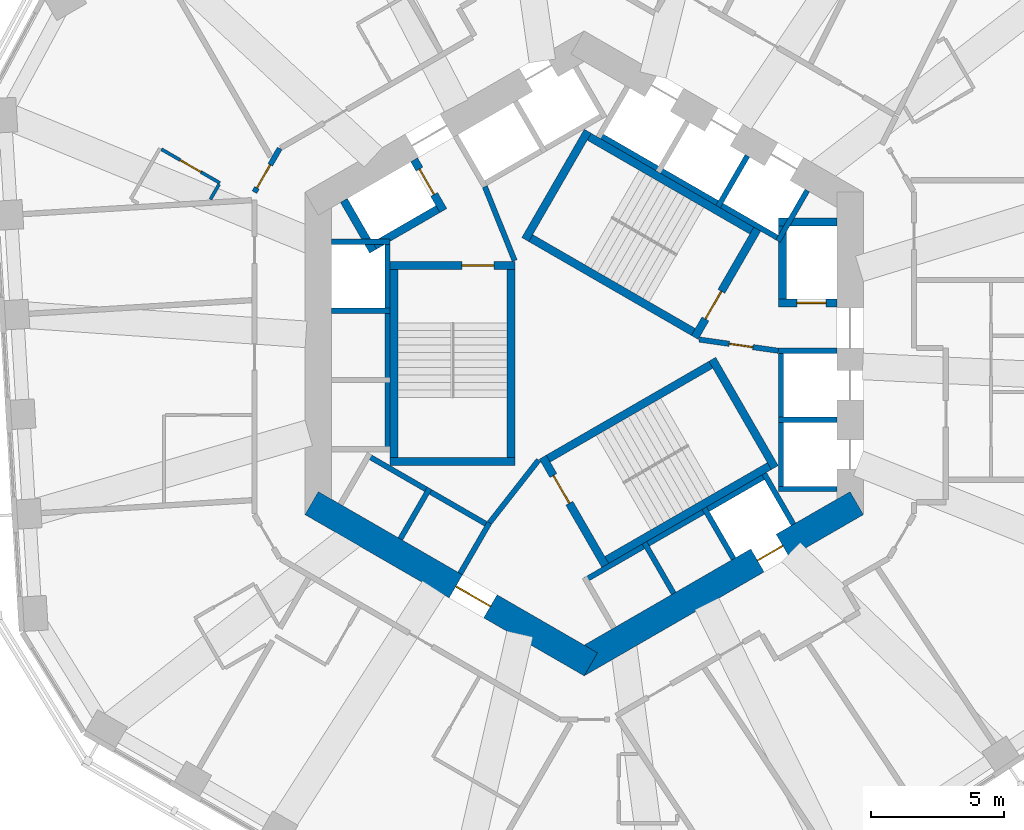
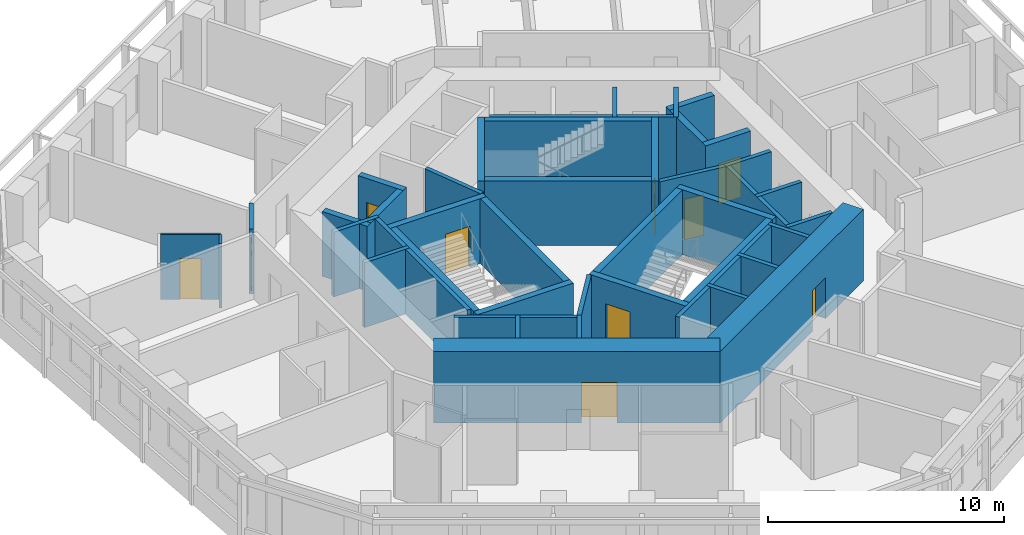
# One storey, part 5 of 11: 43 walls, 10 doors, 10 openings.
"""IFC4 building model written with IfcOpenShell, lengths in metres."""

from ifc_helpers import new_model, si_unit, direction, frame, frame_2d, origin, place, context, subcontext, project, spatial, rectangle, extrude, material, layer, layer_set, type_object, element, fill, save


model = new_model("IFC4")

# Units and contexts
model_context = context("Model", 3, precision=1e-05, world=origin(), true_north=direction((0.0, 1.0)))
body_context = subcontext(model_context, "Body", "Model", "MODEL_VIEW")
ifc_project = project(units=[si_unit("LENGTHUNIT", "METRE"), si_unit("AREAUNIT", "SQUARE_METRE"), si_unit("VOLUMEUNIT", "CUBIC_METRE"), si_unit("PLANEANGLEUNIT", "RADIAN"), si_unit("MASSUNIT", "GRAM", prefix="KILO")], contexts=[model_context])

# Site, building, storey
site_placement = place(None, origin())
site = spatial("IfcSite", under=ifc_project, at=site_placement, CompositionType="ELEMENT")
building_placement = place(site_placement, origin())
building = spatial("IfcBuilding", under=site, at=building_placement, Name="Vanh Sen Convention Tower", CompositionType="ELEMENT")
storey_placement = place(building_placement, frame((0.0, 0.0, 135.5)))
storey = spatial("IfcBuildingStorey", under=building, at=storey_placement, Name="L33", CompositionType="ELEMENT", Elevation=135.5)

# Wall, opening, door
ifc_material_1 = material(Name="Moisture-resistant gypsum board on steel studs", Category="steel")
ifc_layer_1 = layer(ifc_material_1, 0.1201171875)
ifc_layer_set_1 = layer_set([ifc_layer_1], Name="Moisture-resistant gypsum board on steel studs")
wall_type_1 = type_object("IfcWallType", Name="Bathroom partition 120", PredefinedType="PARTITIONING", material=ifc_layer_set_1)
wall_1_placement = place(storey_placement, frame((-15.900390625, 7.67919921875, 0.0), z_axis=(0.0, 0.0, 1.0), x_axis=(0.866022320763, -0.500005339912, 0.0)))
wall_1 = element("IfcWall", 1, at=wall_1_placement, inside=storey, type_object=wall_type_1, Name="Bathroom partition 120", PredefinedType="PARTITIONING", context=body_context, shape_type="SweptSolid", body=[
    extrude(rectangle(XDim=2.5400390625, YDim=0.1201171875, at=frame_2d((1.27001953125, 0.0))), origin(), (0.0, 0.0, 1.0), 3.35009765625),
])
opening_1_placement = place(wall_1_placement, frame((0.820068359375, 0.0, 0.0)))
opening_1 = element("IfcOpeningElement", 2, at=opening_1_placement, cuts=wall_1, Name="Opening D32116", PredefinedType="OPENING", context=body_context, shape_type="SweptSolid", body=[
    extrude(rectangle(XDim=0.89990234375, YDim=2.10009765625, at=frame_2d((0.449951171875, 1.050048828125))), frame((0.0, 0.070068359375, 0.0), z_axis=(0.0, -1.0, 0.0), x_axis=(1.0, 0.0, 0.0)), (0.0, 0.0, 1.0), 0.14013671875),
])
ifc_material_2 = material(Name="Laminate door in steel frame", Category="steel")
door_type_1 = type_object("IfcDoorType", Name="Room internal door 900", OperationType="SINGLE_SWING_LEFT", PredefinedType="DOOR", material=ifc_material_2)
door_1_placement = place(opening_1_placement, origin())
door_1 = element("IfcDoor", 3, at=door_1_placement, inside=storey, type_object=door_type_1, Name="Internal room door D32116", OperationType="SINGLE_SWING_LEFT", OverallHeight=2.10009765625, OverallWidth=0.89990234375, PredefinedType="DOOR", context=body_context, shape_type="SweptSolid", body=[
    extrude(rectangle(XDim=0.89990234375, YDim=2.10009765625, at=frame_2d((0.449951171875, 1.050048828125))), frame((0.0, 0.02490234375, 0.0), z_axis=(0.0, -1.0, 0.0), x_axis=(1.0, 0.0, 0.0)), (0.0, 0.0, 1.0), 0.050048828125),
])
fill(opening_1, door_1)

# Wall
wall_2_placement = place(storey_placement, frame((-13.730712890625, 6.357177734375, 0.0), z_axis=(0.0, 0.0, 1.0), x_axis=(-0.500090215447, -0.865973311606, 0.0)))
element("IfcWall", 4, at=wall_2_placement, inside=storey, type_object=wall_type_1, Name="Bathroom partition 120", PredefinedType="PARTITIONING", context=body_context, shape_type="SweptSolid", body=[
    extrude(rectangle(XDim=0.6513671875, YDim=0.1201171875, at=frame_2d((0.32568359375, 0.0))), origin(), (0.0, 0.0, 1.0), 3.35009765625),
])

# Wall, opening, door
ifc_material_3 = material(Name="Concrete C80/95", Category="concrete")
ifc_layer_2 = layer(ifc_material_3, 1.0)
ifc_layer_set_2 = layer_set([ifc_layer_2], Name="Concrete C80/95")
wall_type_2 = type_object("IfcWallType", Name="Core outer wall 1000 C80/95", PredefinedType="SHEAR", material=ifc_layer_set_2)
wall_3_placement = place(storey_placement, frame((-10.25, -5.629150390625, 0.0), z_axis=(0.0, 0.0, 1.0), x_axis=(0.866022616891, -0.50000482701, 0.0)))
wall_3 = element("IfcWall", 5, at=wall_3_placement, inside=storey, type_object=wall_type_2, Name="Core wall face SW L33", PredefinedType="SHEAR", context=body_context, shape_type="SweptSolid", body=[
    extrude(rectangle(XDim=12.12451171875, YDim=1.0, at=frame_2d((6.062255859375, 0.0))), origin(), (0.0, 0.0, 1.0), 3.699951171875),
])
opening_2_placement = place(wall_3_placement, frame((6.26220703125, 0.0, 0.0)))
opening_2 = element("IfcOpeningElement", 6, at=opening_2_placement, cuts=wall_3, Name="Opening D32003", PredefinedType="OPENING", context=body_context, shape_type="SweptSolid", body=[
    extrude(rectangle(XDim=1.5, YDim=2.10009765625, at=frame_2d((0.75, 1.050048828125))), frame((0.0, 0.510009765625, 0.0), z_axis=(0.0, -1.0, 0.0), x_axis=(1.0, 0.0, 0.0)), (0.0, 0.0, 1.0), 1.02001953125),
])
ifc_material_4 = material(Name="Steel S355", Category="steel")
door_type_2 = type_object("IfcDoorType", Name="Stair lobby door 1500", OperationType="DOUBLE_DOOR_SINGLE_SWING", PredefinedType="DOOR", material=ifc_material_4)
door_2_placement = place(opening_2_placement, origin())
door_2 = element("IfcDoor", 7, at=door_2_placement, inside=storey, type_object=door_type_2, Name="Stair lobby door D32003", OperationType="DOUBLE_DOOR_SINGLE_SWING", OverallHeight=2.10009765625, OverallWidth=1.5, PredefinedType="DOOR", context=body_context, shape_type="SweptSolid", body=[
    extrude(rectangle(XDim=1.5, YDim=2.10009765625, at=frame_2d((0.75, 1.050048828125))), frame((0.0, 0.02490234375, 0.0), z_axis=(0.0, -1.0, 0.0), x_axis=(1.0, 0.0, 0.0)), (0.0, 0.0, 1.0), 0.050048828125),
])
fill(opening_2, door_2)

wall_4_placement = place(storey_placement, frame((-0.25, -11.69140625, 0.0), z_axis=(0.0, 0.0, 1.0), x_axis=(0.866022616891, 0.50000482701, 0.0)))
wall_4 = element("IfcWall", 8, at=wall_4_placement, inside=storey, type_object=wall_type_2, Name="Core wall face SE L33", PredefinedType="SHEAR", context=body_context, shape_type="SweptSolid", body=[
    extrude(rectangle(XDim=12.12451171875, YDim=1.0, at=frame_2d((6.062255859375, 0.0))), origin(), (0.0, 0.0, 1.0), 3.699951171875),
])
opening_3_placement = place(wall_4_placement, frame((7.812255859375, 0.0, 0.0)))
opening_3 = element("IfcOpeningElement", 9, at=opening_3_placement, cuts=wall_4, Name="Opening LD-SV1", PredefinedType="OPENING", context=body_context, shape_type="SweptSolid", body=[
    extrude(rectangle(XDim=1.10009765625, YDim=2.10009765625, at=frame_2d((0.550048828125, 1.050048828125))), frame((0.0, 0.510009765625, 0.0), z_axis=(0.0, -1.0, 0.0), x_axis=(1.0, 0.0, 0.0)), (0.0, 0.0, 1.0), 1.02001953125),
])
ifc_material_5 = material(Name="Stainless steel", Category="steel")
door_type_3 = type_object("IfcDoorType", Name="Lift landing door 1100", OperationType="DOUBLE_DOOR_SLIDING", PredefinedType="DOOR", material=ifc_material_5)
door_3_placement = place(opening_3_placement, origin())
door_3 = element("IfcDoor", 10, at=door_3_placement, inside=storey, type_object=door_type_3, Name="Lift SV1 landing door LD-SV1", OperationType="DOUBLE_DOOR_SLIDING", OverallHeight=2.10009765625, OverallWidth=1.10009765625, PredefinedType="DOOR", context=body_context, shape_type="SweptSolid", body=[
    extrude(rectangle(XDim=1.10009765625, YDim=2.10009765625, at=frame_2d((0.550048828125, 1.050048828125))), frame((0.0, 0.02490234375, 0.0), z_axis=(0.0, -1.0, 0.0), x_axis=(1.0, 0.0, 0.0)), (0.0, 0.0, 1.0), 0.050048828125),
])
fill(opening_3, door_3)

ifc_material_6 = material(Name="Gypsum board on steel studs with mineral wool", Category="steel")
ifc_layer_3 = layer(ifc_material_6, 0.199951171875)
ifc_layer_set_3 = layer_set([ifc_layer_3], Name="Gypsum board on steel studs with mineral wool")
wall_type_3 = type_object("IfcWallType", Name="Corridor partition wall 200", PredefinedType="PARTITIONING", material=ifc_layer_set_3)
wall_5_placement = place(storey_placement, frame((-11.449951171875, 7.70751953125, 0.0), z_axis=(0.0, 0.0, 1.0), x_axis=(-0.500022797313, -0.86601224135, 0.0)))
wall_5 = element("IfcWall", 11, at=wall_5_placement, inside=storey, type_object=wall_type_3, Name="Corridor partition wall 200", PredefinedType="PARTITIONING", context=body_context, shape_type="SweptSolid", body=[
    extrude(rectangle(XDim=1.89990234375, YDim=0.199951171875, at=frame_2d((0.949951171875, 0.0))), origin(), (0.0, 0.0, 1.0), 3.35009765625),
])
opening_4_placement = place(wall_5_placement, frame((0.711669921875, 0.0, 0.0)))
opening_4 = element("IfcOpeningElement", 12, at=opening_4_placement, cuts=wall_5, Name="Opening D32115", PredefinedType="OPENING", context=body_context, shape_type="SweptSolid", body=[
    extrude(rectangle(XDim=1.0, YDim=2.10009765625, at=frame_2d((0.5, 1.050048828125))), frame((0.0, 0.10986328125, 0.0), z_axis=(0.0, -1.0, 0.0), x_axis=(1.0, 0.0, 0.0)), (0.0, 0.0, 1.0), 0.219970703125),
])
ifc_material_7 = material(Name="Glazed fire door in steel frame", Category="steel")
door_type_4 = type_object("IfcDoorType", Name="Tenant entrance door 1000", OperationType="SINGLE_SWING_LEFT", PredefinedType="DOOR", material=ifc_material_7)
door_4_placement = place(opening_4_placement, origin())
door_4 = element("IfcDoor", 13, at=door_4_placement, inside=storey, type_object=door_type_4, Name="Tenant suite entrance door D32115", OperationType="SINGLE_SWING_LEFT", OverallHeight=2.10009765625, OverallWidth=1.0, PredefinedType="DOOR", context=body_context, shape_type="SweptSolid", body=[
    extrude(rectangle(XDim=1.0, YDim=2.10009765625, at=frame_2d((0.5, 1.050048828125))), frame((0.0, 0.02490234375, 0.0), z_axis=(0.0, -1.0, 0.0), x_axis=(1.0, 0.0, 0.0)), (0.0, 0.0, 1.0), 0.050048828125),
])
fill(opening_4, door_4)

ifc_material_8 = material(Name="Concrete C60/75", Category="concrete")
ifc_layer_4 = layer(ifc_material_8, 0.300048828125)
ifc_layer_set_4 = layer_set([ifc_layer_4], Name="Concrete C60/75")
wall_type_4 = type_object("IfcWallType", Name="Fire-fighting lift shaft wall 300", PredefinedType="SHEAR", material=ifc_layer_set_4)
wall_6_placement = place(storey_placement, frame((7.300048828125, 1.89990234375, 0.0), z_axis=(0.0, 0.0, 1.0), x_axis=(1.0, 0.0, 0.0)))
wall_6 = element("IfcWall", 14, at=wall_6_placement, inside=storey, type_object=wall_type_4, Name="Fire-fighting lift shaft wall L33", PredefinedType="SHEAR", context=body_context, shape_type="SweptSolid", body=[
    extrude(rectangle(XDim=2.199951171875, YDim=0.300048828125, at=frame_2d((1.10009765625, 0.0))), origin(), (0.0, 0.0, 1.0), 3.35009765625),
])
opening_5_placement = place(wall_6_placement, frame((0.699951171875, 0.0, 0.0)))
opening_5 = element("IfcOpeningElement", 15, at=opening_5_placement, cuts=wall_6, Name="Opening LD-FF1", PredefinedType="OPENING", context=body_context, shape_type="SweptSolid", body=[
    extrude(rectangle(XDim=1.10009765625, YDim=2.10009765625, at=frame_2d((0.550048828125, 1.050048828125))), frame((0.0, 0.159912109375, 0.0), z_axis=(0.0, -1.0, 0.0), x_axis=(1.0, 0.0, 0.0)), (0.0, 0.0, 1.0), 0.320068359375),
])
door_type_5 = type_object("IfcDoorType", Name="Fire-fighting lift landing door 1100", OperationType="DOUBLE_DOOR_SLIDING", PredefinedType="DOOR", material=ifc_material_5)
door_5_placement = place(opening_5_placement, origin())
door_5 = element("IfcDoor", 16, at=door_5_placement, inside=storey, type_object=door_type_5, Name="Lift FF1 landing door LD-FF1", OperationType="DOUBLE_DOOR_SLIDING", OverallHeight=2.10009765625, OverallWidth=1.10009765625, PredefinedType="DOOR", context=body_context, shape_type="SweptSolid", body=[
    extrude(rectangle(XDim=1.10009765625, YDim=2.10009765625, at=frame_2d((0.550048828125, 1.050048828125))), frame((0.0, 0.02490234375, 0.0), z_axis=(0.0, -1.0, 0.0), x_axis=(1.0, 0.0, 0.0)), (0.0, 0.0, 1.0), 0.050048828125),
])
fill(opening_5, door_5)

# Walls
wall_7_placement = place(storey_placement, frame((7.449951171875, 1.75, 0.0), z_axis=(0.0, 0.0, 1.0), x_axis=(0.0, 1.0, 0.0)))
element("IfcWall", 17, at=wall_7_placement, inside=storey, type_object=wall_type_4, Name="Fire-fighting lift shaft wall L33", PredefinedType="SHEAR", context=body_context, shape_type="SweptSolid", body=[
    extrude(rectangle(XDim=3.35009765625, YDim=0.300048828125, at=frame_2d((1.675048828125, 0.0))), origin(), (0.0, 0.0, 1.0), 3.35009765625),
])
wall_8_placement = place(storey_placement, frame((7.300048828125, 4.949951171875, 0.0), z_axis=(0.0, 0.0, 1.0), x_axis=(1.0, 0.0, 0.0)))
element("IfcWall", 18, at=wall_8_placement, inside=storey, type_object=wall_type_4, Name="Fire-fighting lift shaft wall L33", PredefinedType="SHEAR", context=body_context, shape_type="SweptSolid", body=[
    extrude(rectangle(XDim=2.199951171875, YDim=0.300048828125, at=frame_2d((1.10009765625, 0.0))), origin(), (0.0, 0.0, 1.0), 3.35009765625),
])

# Wall, opening, door
wall_9_placement = place(storey_placement, frame((-5.29541015625, 5.3720703125, 0.0), z_axis=(0.0, 0.0, 1.0), x_axis=(-0.500077893725, 0.86598042715, 0.0)))
wall_9 = element("IfcWall", 19, at=wall_9_placement, inside=storey, type_object=wall_type_4, Name="Fire-fighting lift shaft wall L33", PredefinedType="SHEAR", context=body_context, shape_type="SweptSolid", body=[
    extrude(rectangle(XDim=2.199951171875, YDim=0.300048828125, at=frame_2d((1.10009765625, 0.0))), origin(), (0.0, 0.0, 1.0), 3.35009765625),
])
opening_6_placement = place(wall_9_placement, frame((0.699951171875, 0.0, 0.0)))
opening_6 = element("IfcOpeningElement", 20, at=opening_6_placement, cuts=wall_9, Name="Opening LD-FF2", PredefinedType="OPENING", context=body_context, shape_type="SweptSolid", body=[
    extrude(rectangle(XDim=1.10009765625, YDim=2.10009765625, at=frame_2d((0.550048828125, 1.050048828125))), frame((0.0, 0.159912109375, 0.0), z_axis=(0.0, -1.0, 0.0), x_axis=(1.0, 0.0, 0.0)), (0.0, 0.0, 1.0), 0.320068359375),
])
door_6_placement = place(opening_6_placement, origin())
door_6 = element("IfcDoor", 21, at=door_6_placement, inside=storey, type_object=door_type_5, Name="Lift FF2 landing door LD-FF2", OperationType="DOUBLE_DOOR_SLIDING", OverallHeight=2.10009765625, OverallWidth=1.10009765625, PredefinedType="DOOR", context=body_context, shape_type="SweptSolid", body=[
    extrude(rectangle(XDim=1.10009765625, YDim=2.10009765625, at=frame_2d((0.550048828125, 1.050048828125))), frame((0.0, 0.02490234375, 0.0), z_axis=(0.0, -1.0, 0.0), x_axis=(1.0, 0.0, 0.0)), (0.0, 0.0, 1.0), 0.050048828125),
])
fill(opening_6, door_6)

# Walls
wall_10_placement = place(storey_placement, frame((-5.240478515625, 5.576904296875, 0.0), z_axis=(0.0, 0.0, 1.0), x_axis=(-0.866014461049, -0.500018952895, 0.0)))
element("IfcWall", 22, at=wall_10_placement, inside=storey, type_object=wall_type_4, Name="Fire-fighting lift shaft wall L33", PredefinedType="SHEAR", context=body_context, shape_type="SweptSolid", body=[
    extrude(rectangle(XDim=3.349853515625, YDim=0.300048828125, at=frame_2d((1.6748046875, 0.0))), origin(), (0.0, 0.0, 1.0), 3.35009765625),
])
wall_11_placement = place(storey_placement, frame((-7.936767578125, 3.846923828125, 0.0), z_axis=(0.0, 0.0, 1.0), x_axis=(-0.50002983664, 0.866008176907, 0.0)))
element("IfcWall", 23, at=wall_11_placement, inside=storey, type_object=wall_type_4, Name="Fire-fighting lift shaft wall L33", PredefinedType="SHEAR", context=body_context, shape_type="SweptSolid", body=[
    extrude(rectangle(XDim=2.199951171875, YDim=0.300048828125, at=frame_2d((1.10009765625, 0.0))), origin(), (0.0, 0.0, 1.0), 3.35009765625),
])
ifc_material_9 = material(Name="Concrete C40/50", Category="concrete")
ifc_layer_5 = layer(ifc_material_9, 0.199951171875)
ifc_layer_set_5 = layer_set([ifc_layer_5], Name="Concrete C40/50")
wall_type_5 = type_object("IfcWallType", Name="Lift shaft wall 200", PredefinedType="PARTITIONING", material=ifc_layer_set_5)
wall_12_placement = place(storey_placement, frame((7.39990234375, -5.199951171875, 0.0), z_axis=(0.0, 0.0, 1.0), x_axis=(0.0, 1.0, 0.0)))
element("IfcWall", 24, at=wall_12_placement, inside=storey, type_object=wall_type_5, Name="Lift shaft wall L33", PredefinedType="PARTITIONING", context=body_context, shape_type="SweptSolid", body=[
    extrude(rectangle(XDim=5.39990234375, YDim=0.199951171875, at=frame_2d((2.699951171875, 0.0))), origin(), (0.0, 0.0, 1.0), 3.35009765625),
])
for number, where, z_axis, x_axis, name in (
    (25, (7.300048828125, -5.10009765625, 0.0), (0.0, 0.0, 1.0), (1.0, 0.0, 0.0), "Lift shaft wall L33"),
    (26, (7.300048828125, -2.5, 0.0), (0.0, 0.0, 1.0), (1.0, 0.0, 0.0), "Lift shaft wall L33"),
    (27, (7.300048828125, 0.10009765625, 0.0), (0.0, 0.0, 1.0), (1.0, 0.0, 0.0), "Lift shaft wall L33"),
):
    element("IfcWall", number, at=place(storey_placement, frame(where, z_axis=z_axis, x_axis=x_axis)), inside=storey, type_object=wall_type_5, Name=name, PredefinedType="PARTITIONING", context=body_context, shape_type="SweptSolid", body=[
        extrude(rectangle(XDim=2.199951171875, YDim=0.199951171875, at=frame_2d((1.10009765625, 0.0))), origin(), (0.0, 0.0, 1.0), 3.35009765625),
    ])
wall_13_placement = place(storey_placement, frame((7.423828125, 4.258544921875, 0.0), z_axis=(0.0, 0.0, 1.0), x_axis=(-0.866026010844, 0.49999894854, 0.0)))
element("IfcWall", 28, at=wall_13_placement, inside=storey, type_object=wall_type_5, Name="Lift shaft wall L33", PredefinedType="PARTITIONING", context=body_context, shape_type="SweptSolid", body=[
    extrude(rectangle(XDim=8.0, YDim=0.199951171875, at=frame_2d((4.0, 0.0))), origin(), (0.0, 0.0, 1.0), 3.35009765625),
])
for number, where, z_axis, x_axis, name in (
    (29, (7.287353515625, 4.221923828125, 0.0), (0.0, 0.0, 1.0), (0.499946605688, 0.86605622881, 0.0), "Lift shaft wall L33"),
    (30, (5.03564453125, 5.52197265625, 0.0), (0.0, 0.0, 1.0), (0.499946605688, 0.86605622881, 0.0), "Lift shaft wall L33"),
):
    element("IfcWall", number, at=place(storey_placement, frame(where, z_axis=z_axis, x_axis=x_axis)), inside=storey, type_object=wall_type_5, Name=name, PredefinedType="PARTITIONING", context=body_context, shape_type="SweptSolid", body=[
        extrude(rectangle(XDim=2.199951171875, YDim=0.199951171875, at=frame_2d((1.10009765625, 0.0))), origin(), (0.0, 0.0, 1.0), 3.35009765625),
    ])
wall_14_placement = place(storey_placement, frame((-7.39990234375, 4.300048828125, 0.0), z_axis=(0.0, 0.0, 1.0), x_axis=(0.0, -1.0, 0.0)))
element("IfcWall", 31, at=wall_14_placement, inside=storey, type_object=wall_type_5, Name="Lift shaft wall L33", PredefinedType="PARTITIONING", context=body_context, shape_type="SweptSolid", body=[
    extrude(rectangle(XDim=8.0, YDim=0.199951171875, at=frame_2d((4.0, 0.0))), origin(), (0.0, 0.0, 1.0), 3.35009765625),
])
for number, where, z_axis, x_axis, name in (
    (32, (-7.300048828125, 4.199951171875, 0.0), (0.0, 0.0, 1.0), (-1.0, 0.0, 0.0), "Lift shaft wall L33"),
    (33, (-7.300048828125, 1.60009765625, 0.0), (0.0, 0.0, 1.0), (-1.0, 0.0, 0.0), "Lift shaft wall L33"),
):
    element("IfcWall", number, at=place(storey_placement, frame(where, z_axis=z_axis, x_axis=x_axis)), inside=storey, type_object=wall_type_5, Name=name, PredefinedType="PARTITIONING", context=body_context, shape_type="SweptSolid", body=[
        extrude(rectangle(XDim=2.199951171875, YDim=0.199951171875, at=frame_2d((1.10009765625, 0.0))), origin(), (0.0, 0.0, 1.0), 3.35009765625),
    ])
wall_15_placement = place(storey_placement, frame((-8.203369140625, -3.80859375, 0.0), z_axis=(0.0, 0.0, 1.0), x_axis=(0.866028230842, -0.499995103361, 0.0)))
element("IfcWall", 34, at=wall_15_placement, inside=storey, type_object=wall_type_5, Name="Lift shaft wall L33", PredefinedType="PARTITIONING", context=body_context, shape_type="SweptSolid", body=[
    extrude(rectangle(XDim=5.39990234375, YDim=0.199951171875, at=frame_2d((2.699951171875, 0.0))), origin(), (0.0, 0.0, 1.0), 3.35009765625),
])
wall_16_placement = place(storey_placement, frame((-5.815185546875, -5.072021484375, 0.0), z_axis=(0.0, 0.0, 1.0), x_axis=(-0.499946605688, -0.86605622881, 0.0)))
element("IfcWall", 35, at=wall_16_placement, inside=storey, type_object=wall_type_5, Name="Lift shaft wall L33", PredefinedType="PARTITIONING", context=body_context, shape_type="SweptSolid", body=[
    extrude(rectangle(XDim=2.199951171875, YDim=0.199951171875, at=frame_2d((1.10009765625, 0.0))), origin(), (0.0, 0.0, 1.0), 3.35009765625),
])
wall_17_placement = place(storey_placement, frame((-3.5634765625, -6.3720703125, 0.0), z_axis=(0.0, 0.0, 1.0), x_axis=(-0.499994660107, -0.866028486751, 0.0)))
element("IfcWall", 36, at=wall_17_placement, inside=storey, type_object=wall_type_5, Name="Lift shaft wall L33", PredefinedType="PARTITIONING", context=body_context, shape_type="SweptSolid", body=[
    extrude(rectangle(XDim=2.19970703125, YDim=0.199951171875, at=frame_2d((1.099853515625, 0.0))), origin(), (0.0, 0.0, 1.0), 3.35009765625),
])
wall_18_placement = place(storey_placement, frame((-0.02392578125, -8.55859375, 0.0), z_axis=(0.0, 0.0, 1.0), x_axis=(0.866026010844, 0.49999894854, 0.0)))
element("IfcWall", 37, at=wall_18_placement, inside=storey, type_object=wall_type_5, Name="Lift shaft wall L33", PredefinedType="PARTITIONING", context=body_context, shape_type="SweptSolid", body=[
    extrude(rectangle(XDim=8.0, YDim=0.199951171875, at=frame_2d((4.0, 0.0))), origin(), (0.0, 0.0, 1.0), 3.35009765625),
])
for number, where, z_axis, x_axis, name in (
    (38, (2.264404296875, -7.1220703125, 0.0), (0.0, 0.0, 1.0), (0.500077893725, -0.86598042715, 0.0), "Lift shaft wall L33"),
    (39, (4.51611328125, -5.822021484375, 0.0), (0.0, 0.0, 1.0), (0.499946605688, -0.86605622881, 0.0), "Lift shaft wall L33"),
    (40, (6.767578125, -4.52197265625, 0.0), (0.0, 0.0, 1.0), (0.50002983664, -0.866008176907, 0.0), "Lift shaft wall L33"),
):
    element("IfcWall", number, at=place(storey_placement, frame(where, z_axis=z_axis, x_axis=x_axis)), inside=storey, type_object=wall_type_5, Name=name, PredefinedType="PARTITIONING", context=body_context, shape_type="SweptSolid", body=[
        extrude(rectangle(XDim=2.199951171875, YDim=0.199951171875, at=frame_2d((1.10009765625, 0.0))), origin(), (0.0, 0.0, 1.0), 3.35009765625),
    ])

# Wall, opening, door
ifc_layer_6 = layer(ifc_material_9, 0.199951171875)
ifc_layer_set_6 = layer_set([ifc_layer_6], Name="Concrete C40/50")
wall_type_6 = type_object("IfcWallType", Name="Stair lobby wall 200", PredefinedType="PARTITIONING", material=ifc_layer_set_6)
wall_19_placement = place(storey_placement, frame((4.327392578125, 0.52099609375, 0.0), z_axis=(0.0, 0.0, 1.0), x_axis=(0.990124376366, -0.14019172346, 0.0)))
wall_19 = element("IfcWall", 41, at=wall_19_placement, inside=storey, type_object=wall_type_6, Name="Stair lobby wall L33", PredefinedType="PARTITIONING", context=body_context, shape_type="SweptSolid", body=[
    extrude(rectangle(XDim=3.002197265625, YDim=0.199951171875, at=frame_2d((1.5009765625, 0.0))), origin(), (0.0, 0.0, 1.0), 3.35009765625),
])
opening_7_placement = place(wall_19_placement, frame((1.13818359375, 0.0, 0.0)))
opening_7 = element("IfcOpeningElement", 42, at=opening_7_placement, cuts=wall_19, Name="Opening D32007", PredefinedType="OPENING", context=body_context, shape_type="SweptSolid", body=[
    extrude(rectangle(XDim=0.89990234375, YDim=2.10009765625, at=frame_2d((0.449951171875, 1.050048828125))), frame((0.0, 0.10986328125, 0.0), z_axis=(0.0, -1.0, 0.0), x_axis=(1.0, 0.0, 0.0)), (0.0, 0.0, 1.0), 0.219970703125),
])
door_type_6 = type_object("IfcDoorType", Name="Plant door 900", OperationType="SINGLE_SWING_LEFT", PredefinedType="DOOR", material=ifc_material_4)
door_7_placement = place(opening_7_placement, origin())
door_7 = element("IfcDoor", 43, at=door_7_placement, inside=storey, type_object=door_type_6, Name="Plant door D32007", OperationType="SINGLE_SWING_LEFT", OverallHeight=2.10009765625, OverallWidth=0.89990234375, PredefinedType="DOOR", context=body_context, shape_type="SweptSolid", body=[
    extrude(rectangle(XDim=0.89990234375, YDim=2.10009765625, at=frame_2d((0.449951171875, 1.050048828125))), frame((0.0, 0.02490234375, 0.0), z_axis=(0.0, -1.0, 0.0), x_axis=(1.0, 0.0, 0.0)), (0.0, 0.0, 1.0), 0.050048828125),
])
fill(opening_7, door_7)

# Walls
for number, where, z_axis, x_axis, name in (
    (44, (-2.614990234375, 3.487060546875, 0.0), (0.0, 0.0, 1.0), (-0.373576831041, 0.92759924068, 0.0), "Stair lobby wall L33"),
    (45, (-1.71240234375, -4.00830078125, 0.0), (0.0, 0.0, 1.0), (-0.616549420702, -0.787316208287, 0.0), "Stair lobby wall L33"),
):
    element("IfcWall", number, at=place(storey_placement, frame(where, z_axis=z_axis, x_axis=x_axis)), inside=storey, type_object=wall_type_6, Name=name, PredefinedType="PARTITIONING", context=body_context, shape_type="SweptSolid", body=[
        extrude(rectangle(XDim=3.002197265625, YDim=0.199951171875, at=frame_2d((1.5009765625, 0.0))), origin(), (0.0, 0.0, 1.0), 3.35009765625),
    ])

# Wall, opening, door
ifc_layer_7 = layer(ifc_material_8, 0.300048828125)
ifc_layer_set_7 = layer_set([ifc_layer_7], Name="Concrete C60/75")
wall_type_7 = type_object("IfcWallType", Name="Stair wall 300", PredefinedType="SHEAR", material=ifc_layer_set_7)
wall_20_placement = place(storey_placement, frame((4.157958984375, 0.601806640625, 0.0), z_axis=(0.0, 0.0, 1.0), x_axis=(0.499977259774, 0.866038532462, 0.0)))
wall_20 = element("IfcWall", 46, at=wall_20_placement, inside=storey, type_object=wall_type_7, Name="Stair wall L33", PredefinedType="SHEAR", context=body_context, shape_type="SweptSolid", body=[
    extrude(rectangle(XDim=4.699951171875, YDim=0.300048828125, at=frame_2d((2.35009765625, 0.0))), origin(), (0.0, 0.0, 1.0), 3.35009765625),
])
opening_8_placement = place(wall_20_placement, frame((0.800048828125, 0.0, 0.0)))
opening_8 = element("IfcOpeningElement", 47, at=opening_8_placement, cuts=wall_20, Name="Opening D32004", PredefinedType="OPENING", context=body_context, shape_type="SweptSolid", body=[
    extrude(rectangle(XDim=1.199951171875, YDim=2.10009765625, at=frame_2d((0.60009765625, 1.050048828125))), frame((0.0, 0.159912109375, 0.0), z_axis=(0.0, -1.0, 0.0), x_axis=(1.0, 0.0, 0.0)), (0.0, 0.0, 1.0), 0.320068359375),
])
door_type_7 = type_object("IfcDoorType", Name="Stair door 1200", OperationType="SINGLE_SWING_RIGHT", PredefinedType="DOOR", material=ifc_material_4)
door_8_placement = place(opening_8_placement, origin())
door_8 = element("IfcDoor", 48, at=door_8_placement, inside=storey, type_object=door_type_7, Name="Stair ST1 door D32004", OperationType="SINGLE_SWING_RIGHT", OverallHeight=2.10009765625, OverallWidth=1.199951171875, PredefinedType="DOOR", context=body_context, shape_type="SweptSolid", body=[
    extrude(rectangle(XDim=1.199951171875, YDim=2.10009765625, at=frame_2d((0.60009765625, 1.050048828125))), frame((0.0, 0.02490234375, 0.0), z_axis=(0.0, -1.0, 0.0), x_axis=(1.0, 0.0, 0.0)), (0.0, 0.0, 1.0), 0.050048828125),
])
fill(opening_8, door_8)

# Walls
wall_21_placement = place(storey_placement, frame((-2.216064453125, 4.28173828125, 0.0), z_axis=(0.0, 0.0, 1.0), x_axis=(0.499977259774, 0.866038532462, 0.0)))
element("IfcWall", 49, at=wall_21_placement, inside=storey, type_object=wall_type_7, Name="Stair wall L33", PredefinedType="SHEAR", context=body_context, shape_type="SweptSolid", body=[
    extrude(rectangle(XDim=4.699951171875, YDim=0.300048828125, at=frame_2d((2.35009765625, 0.0))), origin(), (0.0, 0.0, 1.0), 3.35009765625),
])
for number, where, z_axis, x_axis, name in (
    (50, (4.10302734375, 0.806640625, 0.0), (0.0, 0.0, 1.0), (-0.866027801685, 0.499995846692, 0.0), "Stair wall L33"),
    (51, (6.302978515625, 4.6171875, 0.0), (0.0, 0.0, 1.0), (-0.866027801685, 0.499995846692, 0.0), "Stair wall L33"),
):
    element("IfcWall", number, at=place(storey_placement, frame(where, z_axis=z_axis, x_axis=x_axis)), inside=storey, type_object=wall_type_7, Name=name, PredefinedType="SHEAR", context=body_context, shape_type="SweptSolid", body=[
        extrude(rectangle(XDim=7.06005859375, YDim=0.300048828125, at=frame_2d((3.530029296875, 0.0))), origin(), (0.0, 0.0, 1.0), 3.35009765625),
    ])

# Wall, opening, door
wall_22_placement = place(storey_placement, frame((-2.60009765625, 3.300048828125, 0.0), z_axis=(0.0, 0.0, 1.0), x_axis=(-1.0, 0.0, 0.0)))
wall_22 = element("IfcWall", 52, at=wall_22_placement, inside=storey, type_object=wall_type_7, Name="Stair wall L33", PredefinedType="SHEAR", context=body_context, shape_type="SweptSolid", body=[
    extrude(rectangle(XDim=4.699951171875, YDim=0.300048828125, at=frame_2d((2.35009765625, 0.0))), origin(), (0.0, 0.0, 1.0), 3.35009765625),
])
opening_9_placement = place(wall_22_placement, frame((0.800048828125, 0.0, 0.0)))
opening_9 = element("IfcOpeningElement", 53, at=opening_9_placement, cuts=wall_22, Name="Opening D32005", PredefinedType="OPENING", context=body_context, shape_type="SweptSolid", body=[
    extrude(rectangle(XDim=1.199951171875, YDim=2.10009765625, at=frame_2d((0.60009765625, 1.050048828125))), frame((0.0, 0.159912109375, 0.0), z_axis=(0.0, -1.0, 0.0), x_axis=(1.0, 0.0, 0.0)), (0.0, 0.0, 1.0), 0.320068359375),
])
door_9_placement = place(opening_9_placement, origin())
door_9 = element("IfcDoor", 54, at=door_9_placement, inside=storey, type_object=door_type_7, Name="Stair ST2 door D32005", OperationType="SINGLE_SWING_RIGHT", OverallHeight=2.10009765625, OverallWidth=1.199951171875, PredefinedType="DOOR", context=body_context, shape_type="SweptSolid", body=[
    extrude(rectangle(XDim=1.199951171875, YDim=2.10009765625, at=frame_2d((0.60009765625, 1.050048828125))), frame((0.0, 0.02490234375, 0.0), z_axis=(0.0, -1.0, 0.0), x_axis=(1.0, 0.0, 0.0)), (0.0, 0.0, 1.0), 0.050048828125),
])
fill(opening_9, door_9)

# Walls
wall_23_placement = place(storey_placement, frame((-2.60009765625, -4.06005859375, 0.0), z_axis=(0.0, 0.0, 1.0), x_axis=(-1.0, 0.0, 0.0)))
element("IfcWall", 55, at=wall_23_placement, inside=storey, type_object=wall_type_7, Name="Stair wall L33", PredefinedType="SHEAR", context=body_context, shape_type="SweptSolid", body=[
    extrude(rectangle(XDim=4.699951171875, YDim=0.300048828125, at=frame_2d((2.35009765625, 0.0))), origin(), (0.0, 0.0, 1.0), 3.35009765625),
])
for number, where, z_axis, x_axis, name in (
    (56, (-2.75, 3.14990234375, 0.0), (0.0, 0.0, 1.0), (0.0, -1.0, 0.0), "Stair wall L33"),
    (57, (-7.14990234375, 3.14990234375, 0.0), (0.0, 0.0, 1.0), (0.0, -1.0, 0.0), "Stair wall L33"),
):
    element("IfcWall", number, at=place(storey_placement, frame(where, z_axis=z_axis, x_axis=x_axis)), inside=storey, type_object=wall_type_7, Name=name, PredefinedType="SHEAR", context=body_context, shape_type="SweptSolid", body=[
        extrude(rectangle(XDim=7.059814453125, YDim=0.300048828125, at=frame_2d((3.52978515625, 0.0))), origin(), (0.0, 0.0, 1.0), 3.35009765625),
    ])

# Wall, opening, door
wall_24_placement = place(storey_placement, frame((-1.557861328125, -3.901611328125, 0.0), z_axis=(0.0, 0.0, 1.0), x_axis=(0.499977259774, -0.866038532462, 0.0)))
wall_24 = element("IfcWall", 58, at=wall_24_placement, inside=storey, type_object=wall_type_7, Name="Stair wall L33", PredefinedType="SHEAR", context=body_context, shape_type="SweptSolid", body=[
    extrude(rectangle(XDim=4.699951171875, YDim=0.300048828125, at=frame_2d((2.35009765625, 0.0))), origin(), (0.0, 0.0, 1.0), 3.35009765625),
])
opening_10_placement = place(wall_24_placement, frame((0.800048828125, 0.0, 0.0)))
opening_10 = element("IfcOpeningElement", 59, at=opening_10_placement, cuts=wall_24, Name="Opening D32006", PredefinedType="OPENING", context=body_context, shape_type="SweptSolid", body=[
    extrude(rectangle(XDim=1.199951171875, YDim=2.10009765625, at=frame_2d((0.60009765625, 1.050048828125))), frame((0.0, 0.159912109375, 0.0), z_axis=(0.0, -1.0, 0.0), x_axis=(1.0, 0.0, 0.0)), (0.0, 0.0, 1.0), 0.320068359375),
])
door_10_placement = place(opening_10_placement, origin())
door_10 = element("IfcDoor", 60, at=door_10_placement, inside=storey, type_object=door_type_7, Name="Stair ST3 door D32006", OperationType="SINGLE_SWING_RIGHT", OverallHeight=2.10009765625, OverallWidth=1.199951171875, PredefinedType="DOOR", context=body_context, shape_type="SweptSolid", body=[
    extrude(rectangle(XDim=1.199951171875, YDim=2.10009765625, at=frame_2d((0.60009765625, 1.050048828125))), frame((0.0, 0.02490234375, 0.0), z_axis=(0.0, -1.0, 0.0), x_axis=(1.0, 0.0, 0.0)), (0.0, 0.0, 1.0), 0.050048828125),
])
fill(opening_10, door_10)

# Walls
wall_25_placement = place(storey_placement, frame((4.816162109375, -0.2216796875, 0.0), z_axis=(0.0, 0.0, 1.0), x_axis=(0.499977259774, -0.866038532462, 0.0)))
element("IfcWall", 61, at=wall_25_placement, inside=storey, type_object=wall_type_7, Name="Stair wall L33", PredefinedType="SHEAR", context=body_context, shape_type="SweptSolid", body=[
    extrude(rectangle(XDim=4.699951171875, YDim=0.300048828125, at=frame_2d((2.35009765625, 0.0))), origin(), (0.0, 0.0, 1.0), 3.35009765625),
])
for number, where, z_axis, x_axis, name in (
    (62, (-1.35302734375, -3.95654296875, 0.0), (0.0, 0.0, 1.0), (0.866027801685, 0.499995846692, 0.0), "Stair wall L33"),
    (63, (0.846923828125, -7.76708984375, 0.0), (0.0, 0.0, 1.0), (0.866027801685, 0.499995846692, 0.0), "Stair wall L33"),
):
    element("IfcWall", number, at=place(storey_placement, frame(where, z_axis=z_axis, x_axis=x_axis)), inside=storey, type_object=wall_type_7, Name=name, PredefinedType="SHEAR", context=body_context, shape_type="SweptSolid", body=[
        extrude(rectangle(XDim=7.06005859375, YDim=0.300048828125, at=frame_2d((3.530029296875, 0.0))), origin(), (0.0, 0.0, 1.0), 3.35009765625),
    ])

save(model, "model.ifc")
